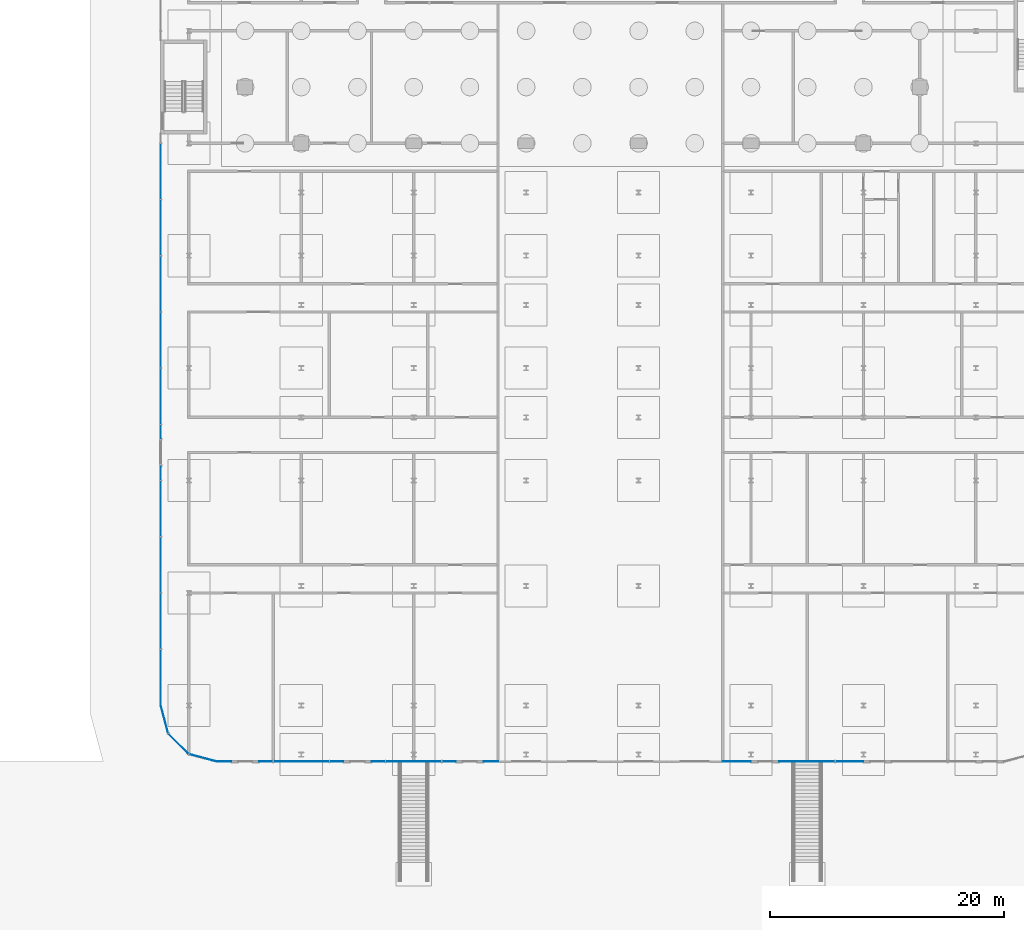
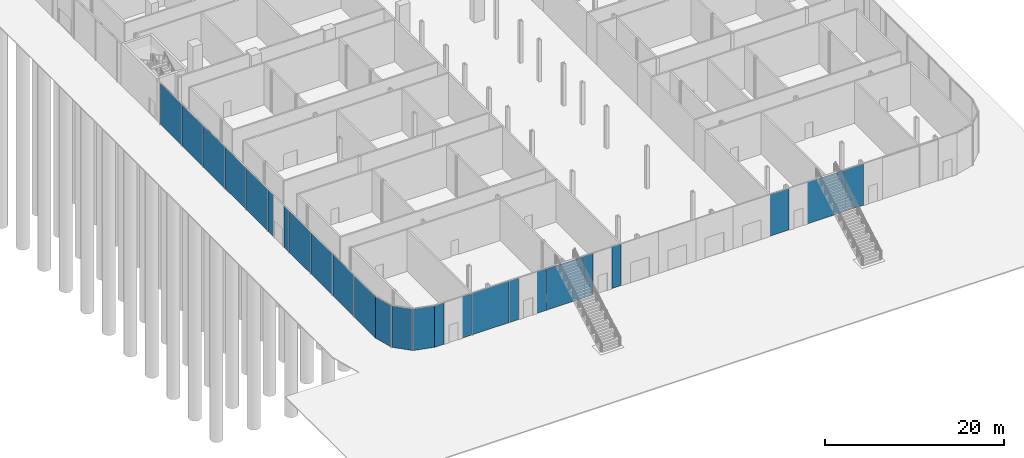
# One storey, part 19 of 44: 25 plates, 3 elements without a shape of their own.
"""IFC4 building model written with IfcOpenShell, lengths in metres."""

from ifc_helpers import new_model, si_unit, direction, frame, origin, origin_2d, place, context, subcontext, project, spatial, rectangle, extrude, material, layer, layer_set, type_object, element, aggregate, save


model = new_model("IFC4")

# Units and contexts
model_context = context("Model", 3, precision=1e-05, world=origin(), true_north=direction((0.0, 1.0)))
body_context = subcontext(model_context, "Body", "Model", "MODEL_VIEW")
ifc_project = project(units=[si_unit("LENGTHUNIT", "METRE"), si_unit("AREAUNIT", "SQUARE_METRE"), si_unit("VOLUMEUNIT", "CUBIC_METRE"), si_unit("PLANEANGLEUNIT", "RADIAN"), si_unit("MASSUNIT", "GRAM", prefix="KILO")], contexts=[model_context])

# Site, building, storey
site_placement = place(None, origin())
site = spatial("IfcSite", under=ifc_project, at=site_placement, CompositionType="ELEMENT")
building_placement = place(site_placement, origin())
building = spatial("IfcBuilding", under=site, at=building_placement, Name="Madar Terraces", CompositionType="ELEMENT")
storey_placement = place(building_placement, origin())
storey = spatial("IfcBuildingStorey", under=building, at=storey_placement, Name="L00", CompositionType="ELEMENT", Elevation=0.0)

# Curtain wall, plates
ifc_material_1 = material(Name="Glass, clear low-iron, with black aluminium frame", Category="aluminium")
ifc_layer_1 = layer(ifc_material_1, 0.199951171875)
ifc_layer_set_1 = layer_set([ifc_layer_1], Name="Facade curtain wall, shopfront glazing")
curtain_wall_type = type_object("IfcCurtainWallType", Name="Facade curtain wall, shopfront glazing", PredefinedType="NOTDEFINED", material=ifc_layer_set_1)
curtain_wall_1_placement = place(storey_placement, origin())
curtain_wall_1 = element("IfcCurtainWall", 1, at=curtain_wall_1_placement, inside=storey, type_object=curtain_wall_type, Name="Outer skin curtain wall south bay 1", PredefinedType="NOTDEFINED")
ifc_material_2 = material(Name="Glass, ceramic frit dark grey", Category="glass")
ifc_layer_2 = layer(ifc_material_2, 0.028076171875)
ifc_layer_set_2 = layer_set([ifc_layer_2], Name="Facade glass panel 28")
plate_type = type_object("IfcPlateType", Name="Facade glass panel 28", PredefinedType="CURTAIN_PANEL", material=ifc_layer_set_2)
plate_1_placement = place(storey_placement, frame((-1.800048828125, -52.800048828125, 0.0), z_axis=(0.0, 0.0, 1.0), x_axis=(1.0, 0.0, 0.0)))
plate_1 = element("IfcPlate", 2, at=plate_1_placement, type_object=plate_type, Name="Panel 1", PredefinedType="CURTAIN_PANEL", context=body_context, shape_type="SweptSolid", body=[
    extrude(rectangle(XDim=1.199951171875, YDim=0.028076171875, at=origin_2d()), origin(), (0.0, 0.0, 1.0), 5.639892578125),
])
plate_2_placement = place(storey_placement, frame((1.784912109375, -52.800048828125, 0.0), z_axis=(0.0, 0.0, 1.0), x_axis=(1.0, 0.0, 0.0)))
plate_2 = element("IfcPlate", 3, at=plate_2_placement, type_object=plate_type, Name="Panel 2", PredefinedType="CURTAIN_PANEL", context=body_context, shape_type="SweptSolid", body=[
    extrude(rectangle(XDim=1.169921875, YDim=0.028076171875, at=origin_2d()), origin(), (0.0, 0.0, 1.0), 5.639892578125),
])
plate_3_placement = place(storey_placement, frame((4.800048828125, -52.800048828125, 0.0), z_axis=(0.0, 0.0, 1.0), x_axis=(1.0, 0.0, 0.0)))
plate_3 = element("IfcPlate", 4, at=plate_3_placement, type_object=plate_type, Name="Panel 3", PredefinedType="CURTAIN_PANEL", context=body_context, shape_type="SweptSolid", body=[
    extrude(rectangle(XDim=4.739990234375, YDim=0.028076171875, at=origin_2d()), origin(), (0.0, 0.0, 1.0), 5.639892578125),
])
plate_4_placement = place(storey_placement, frame((7.81494140625, -52.800048828125, 0.0), z_axis=(0.0, 0.0, 1.0), x_axis=(1.0, 0.0, 0.0)))
plate_4 = element("IfcPlate", 5, at=plate_4_placement, type_object=plate_type, Name="Panel 4", PredefinedType="CURTAIN_PANEL", context=body_context, shape_type="SweptSolid", body=[
    extrude(rectangle(XDim=1.169921875, YDim=0.028076171875, at=origin_2d()), origin(), (0.0, 0.0, 1.0), 5.639892578125),
])
plate_5_placement = place(storey_placement, frame((11.385009765625, -52.800048828125, 0.0), z_axis=(0.0, 0.0, 1.0), x_axis=(1.0, 0.0, 0.0)))
plate_5 = element("IfcPlate", 6, at=plate_5_placement, type_object=plate_type, Name="Panel 5", PredefinedType="CURTAIN_PANEL", context=body_context, shape_type="SweptSolid", body=[
    extrude(rectangle(XDim=1.169921875, YDim=0.028076171875, at=origin_2d()), origin(), (0.0, 0.0, 1.0), 5.639892578125),
])
plate_6_placement = place(storey_placement, frame((14.39990234375, -52.800048828125, 0.0), z_axis=(0.0, 0.0, 1.0), x_axis=(1.0, 0.0, 0.0)))
plate_6 = element("IfcPlate", 7, at=plate_6_placement, type_object=plate_type, Name="Panel 6", PredefinedType="CURTAIN_PANEL", context=body_context, shape_type="SweptSolid", body=[
    extrude(rectangle(XDim=4.739990234375, YDim=0.028076171875, at=origin_2d()), origin(), (0.0, 0.0, 1.0), 5.639892578125),
])
plate_7_placement = place(storey_placement, frame((17.4150390625, -52.800048828125, 0.0), z_axis=(0.0, 0.0, 1.0), x_axis=(1.0, 0.0, 0.0)))
plate_7 = element("IfcPlate", 8, at=plate_7_placement, type_object=plate_type, Name="Panel 7", PredefinedType="CURTAIN_PANEL", context=body_context, shape_type="SweptSolid", body=[
    extrude(rectangle(XDim=1.169921875, YDim=0.028076171875, at=origin_2d()), origin(), (0.0, 0.0, 1.0), 5.639892578125),
])
plate_8_placement = place(storey_placement, frame((21.0, -52.800048828125, 0.0), z_axis=(0.0, 0.0, 1.0), x_axis=(1.0, 0.0, 0.0)))
plate_8 = element("IfcPlate", 9, at=plate_8_placement, type_object=plate_type, Name="Panel 8", PredefinedType="CURTAIN_PANEL", context=body_context, shape_type="SweptSolid", body=[
    extrude(rectangle(XDim=1.199951171875, YDim=0.028076171875, at=origin_2d()), origin(), (0.0, 0.0, 1.0), 5.639892578125),
])
plate_9_placement = place(storey_placement, frame((42.0, -52.800048828125, 0.0), z_axis=(0.0, 0.0, 1.0), x_axis=(1.0, 0.0, 0.0)))
plate_9 = element("IfcPlate", 10, at=plate_9_placement, type_object=plate_type, Name="Panel 9", PredefinedType="CURTAIN_PANEL", context=body_context, shape_type="SweptSolid", body=[
    extrude(rectangle(XDim=2.39990234375, YDim=0.028076171875, at=origin_2d()), origin(), (0.0, 0.0, 1.0), 5.639892578125),
])
plate_10_placement = place(storey_placement, frame((47.985107421875, -52.800048828125, 0.0), z_axis=(0.0, 0.0, 1.0), x_axis=(1.0, 0.0, 0.0)))
plate_10 = element("IfcPlate", 11, at=plate_10_placement, type_object=plate_type, Name="Panel 10", PredefinedType="CURTAIN_PANEL", context=body_context, shape_type="SweptSolid", body=[
    extrude(rectangle(XDim=4.77001953125, YDim=0.028076171875, at=origin_2d()), origin(), (0.0, 0.0, 1.0), 5.639892578125),
])
plate_11_placement = place(storey_placement, frame((51.614990234375, -52.800048828125, 0.0), z_axis=(0.0, 0.0, 1.0), x_axis=(1.0, 0.0, 0.0)))
plate_11 = element("IfcPlate", 12, at=plate_11_placement, type_object=plate_type, Name="Panel 11", PredefinedType="CURTAIN_PANEL", context=body_context, shape_type="SweptSolid", body=[
    extrude(rectangle(XDim=2.3701171875, YDim=0.028076171875, at=origin_2d()), origin(), (0.0, 0.0, 1.0), 5.639892578125),
])
aggregate(curtain_wall_1, [plate_1, plate_2, plate_3, plate_4, plate_5, plate_6, plate_7, plate_8, plate_9, plate_10, plate_11])

curtain_wall_2_placement = place(storey_placement, origin())
curtain_wall_2 = element("IfcCurtainWall", 13, at=curtain_wall_2_placement, inside=storey, type_object=curtain_wall_type, Name="Outer skin curtain wall west bay 1", PredefinedType="NOTDEFINED")
plate_12_placement = place(storey_placement, frame((-7.199951171875, -2.39990234375, 0.0), z_axis=(0.0, 0.0, 1.0), x_axis=(0.0, -1.0, 0.0)))
plate_12 = element("IfcPlate", 14, at=plate_12_placement, type_object=plate_type, Name="Panel 14", PredefinedType="CURTAIN_PANEL", context=body_context, shape_type="SweptSolid", body=[
    extrude(rectangle(XDim=4.739990234375, YDim=0.028076171875, at=origin_2d()), origin(), (0.0, 0.0, 1.0), 5.639892578125),
])
plate_13_placement = place(storey_placement, frame((-7.199951171875, -7.199951171875, 0.0), z_axis=(0.0, 0.0, 1.0), x_axis=(0.0, -1.0, 0.0)))
plate_13 = element("IfcPlate", 15, at=plate_13_placement, type_object=plate_type, Name="Panel 15", PredefinedType="CURTAIN_PANEL", context=body_context, shape_type="SweptSolid", body=[
    extrude(rectangle(XDim=4.739990234375, YDim=0.028076171875, at=origin_2d()), origin(), (0.0, 0.0, 1.0), 5.639892578125),
])
plate_14_placement = place(storey_placement, frame((-7.199951171875, -12.0, 0.0), z_axis=(0.0, 0.0, 1.0), x_axis=(0.0, -1.0, 0.0)))
plate_14 = element("IfcPlate", 16, at=plate_14_placement, type_object=plate_type, Name="Panel 16", PredefinedType="CURTAIN_PANEL", context=body_context, shape_type="SweptSolid", body=[
    extrude(rectangle(XDim=4.739990234375, YDim=0.028076171875, at=origin_2d()), origin(), (0.0, 0.0, 1.0), 5.639892578125),
])
plate_15_placement = place(storey_placement, frame((-7.199951171875, -16.800048828125, 0.0), z_axis=(0.0, 0.0, 1.0), x_axis=(0.0, -1.0, 0.0)))
plate_15 = element("IfcPlate", 17, at=plate_15_placement, type_object=plate_type, Name="Panel 17", PredefinedType="CURTAIN_PANEL", context=body_context, shape_type="SweptSolid", body=[
    extrude(rectangle(XDim=4.739990234375, YDim=0.028076171875, at=origin_2d()), origin(), (0.0, 0.0, 1.0), 5.639892578125),
])
plate_16_placement = place(storey_placement, frame((-7.199951171875, -21.60009765625, 0.0), z_axis=(0.0, 0.0, 1.0), x_axis=(0.0, -1.0, 0.0)))
plate_16 = element("IfcPlate", 18, at=plate_16_placement, type_object=plate_type, Name="Panel 18", PredefinedType="CURTAIN_PANEL", context=body_context, shape_type="SweptSolid", body=[
    extrude(rectangle(XDim=4.739990234375, YDim=0.028076171875, at=origin_2d()), origin(), (0.0, 0.0, 1.0), 5.639892578125),
])
plate_17_placement = place(storey_placement, frame((-7.199951171875, -24.614990234375, 0.0), z_axis=(0.0, 0.0, 1.0), x_axis=(0.0, -1.0, 0.0)))
plate_17 = element("IfcPlate", 19, at=plate_17_placement, type_object=plate_type, Name="Panel 19", PredefinedType="CURTAIN_PANEL", context=body_context, shape_type="SweptSolid", body=[
    extrude(rectangle(XDim=1.169921875, YDim=0.028076171875, at=origin_2d()), origin(), (0.0, 0.0, 1.0), 5.639892578125),
])
plate_18_placement = place(storey_placement, frame((-7.199951171875, -28.18505859375, 0.0), z_axis=(0.0, 0.0, 1.0), x_axis=(0.0, -1.0, 0.0)))
plate_18 = element("IfcPlate", 20, at=plate_18_placement, type_object=plate_type, Name="Panel 20", PredefinedType="CURTAIN_PANEL", context=body_context, shape_type="SweptSolid", body=[
    extrude(rectangle(XDim=1.169921875, YDim=0.028076171875, at=origin_2d()), origin(), (0.0, 0.0, 1.0), 5.639892578125),
])
plate_19_placement = place(storey_placement, frame((-7.199951171875, -31.199951171875, 0.0), z_axis=(0.0, 0.0, 1.0), x_axis=(0.0, -1.0, 0.0)))
plate_19 = element("IfcPlate", 21, at=plate_19_placement, type_object=plate_type, Name="Panel 21", PredefinedType="CURTAIN_PANEL", context=body_context, shape_type="SweptSolid", body=[
    extrude(rectangle(XDim=4.739990234375, YDim=0.028076171875, at=origin_2d()), origin(), (0.0, 0.0, 1.0), 5.639892578125),
])
plate_20_placement = place(storey_placement, frame((-7.199951171875, -36.0, 0.0), z_axis=(0.0, 0.0, 1.0), x_axis=(0.0, -1.0, 0.0)))
plate_20 = element("IfcPlate", 22, at=plate_20_placement, type_object=plate_type, Name="Panel 22", PredefinedType="CURTAIN_PANEL", context=body_context, shape_type="SweptSolid", body=[
    extrude(rectangle(XDim=4.739990234375, YDim=0.028076171875, at=origin_2d()), origin(), (0.0, 0.0, 1.0), 5.639892578125),
])
plate_21_placement = place(storey_placement, frame((-7.199951171875, -40.800048828125, 0.0), z_axis=(0.0, 0.0, 1.0), x_axis=(0.0, -1.0, 0.0)))
plate_21 = element("IfcPlate", 23, at=plate_21_placement, type_object=plate_type, Name="Panel 23", PredefinedType="CURTAIN_PANEL", context=body_context, shape_type="SweptSolid", body=[
    extrude(rectangle(XDim=4.739990234375, YDim=0.028076171875, at=origin_2d()), origin(), (0.0, 0.0, 1.0), 5.639892578125),
])
plate_22_placement = place(storey_placement, frame((-7.199951171875, -45.614990234375, 0.0), z_axis=(0.0, 0.0, 1.0), x_axis=(0.0, -1.0, 0.0)))
plate_22 = element("IfcPlate", 24, at=plate_22_placement, type_object=plate_type, Name="Panel 24", PredefinedType="CURTAIN_PANEL", context=body_context, shape_type="SweptSolid", body=[
    extrude(rectangle(XDim=4.77001953125, YDim=0.028076171875, at=origin_2d()), origin(), (0.0, 0.0, 1.0), 5.639892578125),
])
aggregate(curtain_wall_2, [plate_12, plate_13, plate_14, plate_15, plate_16, plate_17, plate_18, plate_19, plate_20, plate_21, plate_22])

curtain_wall_3_placement = place(storey_placement, origin())
curtain_wall_3 = element("IfcCurtainWall", 25, at=curtain_wall_3_placement, inside=storey, type_object=curtain_wall_type, Name="Outer skin curtain wall south-west corner", PredefinedType="NOTDEFINED")
plate_23_placement = place(storey_placement, frame((-6.88232421875, -49.185546875, 0.0), z_axis=(0.0, 0.0, 1.0), x_axis=(0.258819021888, -0.965925832509, 0.0)))
plate_23 = element("IfcPlate", 26, at=plate_23_placement, type_object=plate_type, Name="Panel 1", PredefinedType="CURTAIN_PANEL", context=body_context, shape_type="SweptSolid", body=[
    extrude(rectangle(XDim=2.45458984375, YDim=0.028076171875, at=origin_2d()), origin(), (0.0, 0.0, 1.0), 5.639892578125),
])
plate_24_placement = place(storey_placement, frame((-5.678466796875, -51.278564453125, 0.0), z_axis=(0.0, 0.0, 1.0), x_axis=(0.707106781187, -0.707106781187, 0.0)))
plate_24 = element("IfcPlate", 27, at=plate_24_placement, type_object=plate_type, Name="Panel 2", PredefinedType="CURTAIN_PANEL", context=body_context, shape_type="SweptSolid", body=[
    extrude(rectangle(XDim=2.424560546875, YDim=0.028076171875, at=origin_2d()), origin(), (0.0, 0.0, 1.0), 5.639892578125),
])
plate_25_placement = place(storey_placement, frame((-3.58544921875, -52.482421875, 0.0), z_axis=(0.0, 0.0, 1.0), x_axis=(0.965925832509, -0.258819021888, 0.0)))
plate_25 = element("IfcPlate", 28, at=plate_25_placement, type_object=plate_type, Name="Panel 3", PredefinedType="CURTAIN_PANEL", context=body_context, shape_type="SweptSolid", body=[
    extrude(rectangle(XDim=2.45458984375, YDim=0.028076171875, at=origin_2d()), origin(), (0.0, 0.0, 1.0), 5.639892578125),
])
aggregate(curtain_wall_3, [plate_23, plate_24, plate_25])

save(model, "model.ifc")
